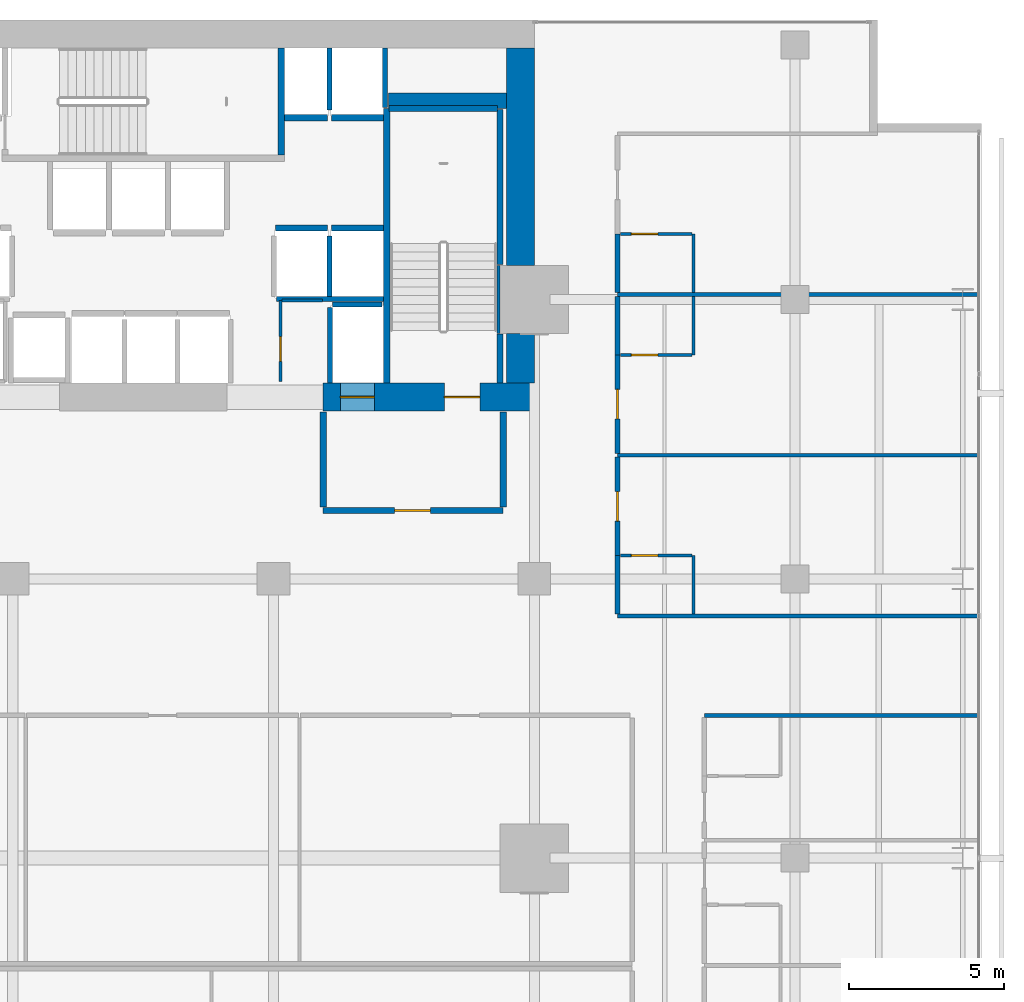
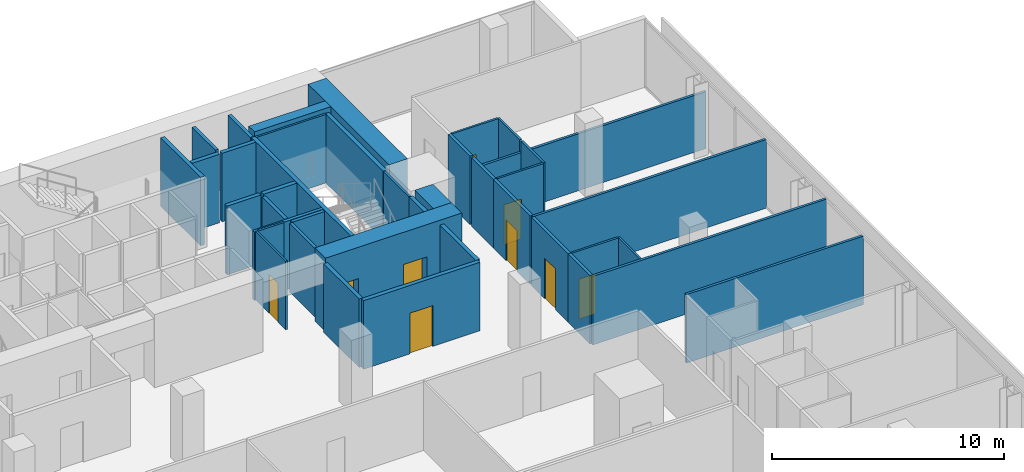
# One storey, part 37 of 40: 40 walls, 9 doors, 9 openings.
"""IFC4 building model written with IfcOpenShell, lengths in metres."""

from ifc_helpers import new_model, si_unit, direction, frame, frame_2d, origin, place, context, subcontext, project, spatial, rectangle, extrude, material, layer, layer_set, type_object, element, fill, save


model = new_model("IFC4")

# Units and contexts
model_context = context("Model", 3, precision=1e-05, world=origin(), true_north=direction((0.0, 1.0)))
body_context = subcontext(model_context, "Body", "Model", "MODEL_VIEW")
ifc_project = project(units=[si_unit("LENGTHUNIT", "METRE"), si_unit("AREAUNIT", "SQUARE_METRE"), si_unit("VOLUMEUNIT", "CUBIC_METRE"), si_unit("PLANEANGLEUNIT", "RADIAN"), si_unit("MASSUNIT", "GRAM", prefix="KILO")], contexts=[model_context])

# Site, building, storey
site_placement = place(None, origin())
site = spatial("IfcSite", under=ifc_project, at=site_placement, CompositionType="ELEMENT")
building_placement = place(site_placement, origin())
building = spatial("IfcBuilding", under=site, at=building_placement, Name="Maruvema Waterfront Hotel and Observation Tower", CompositionType="ELEMENT")
storey_placement = place(building_placement, frame((0.0, 0.0, 80.85009765625)))
storey = spatial("IfcBuildingStorey", under=building, at=storey_placement, Name="L19", CompositionType="ELEMENT", Elevation=80.85009765625)

# Wall
ifc_material_1 = material(Name="Twin-stud acoustic gypsum drywall", Category="gypsum")
ifc_layer_1 = layer(ifc_material_1, 0.14990234375, Name="Acoustic Corridor and Suite Demising Wall 150 mm")
ifc_layer_set_1 = layer_set([ifc_layer_1], Name="Twin-stud acoustic gypsum drywall")
wall_type_1 = type_object("IfcWallType", Name="Acoustic Corridor and Suite Demising Wall 150 mm", PredefinedType="PARTITIONING", material=ifc_layer_set_1)
wall_1_placement = place(storey_placement, frame((53.080078125, 34.860107421875, 0.0), z_axis=(0.0, 0.0, 1.0), x_axis=(0.0, 1.0, 0.0)))
element("IfcWall", 1, at=wall_1_placement, inside=storey, type_object=wall_type_1, Name="L19 Bath L19-NE1 Wall 116", PredefinedType="PARTITIONING", context=body_context, shape_type="SweptSolid", body=[
    extrude(rectangle(XDim=1.889892578125, YDim=0.14990234375, at=frame_2d((0.94482421875, 0.0))), origin(), (0.0, 0.0, 1.0), 3.60986328125),
])

# Wall, opening, door
wall_2_placement = place(storey_placement, frame((53.080078125, 36.75, 0.0), z_axis=(0.0, 0.0, 1.0), x_axis=(0.0, 1.0, 0.0)))
wall_2 = element("IfcWall", 2, at=wall_2_placement, inside=storey, type_object=wall_type_1, Name="L19 Room L19-NE1 Corridor Wall 117", PredefinedType="PARTITIONING", context=body_context, shape_type="SweptSolid", body=[
    extrude(rectangle(XDim=3.169189453125, YDim=0.14990234375, at=frame_2d((1.58447265625, 0.0))), origin(), (0.0, 0.0, 1.0), 3.60986328125),
])
opening_1_placement = place(wall_2_placement, frame((1.109619140625, 0.0, 0.0)))
opening_1 = element("IfcOpeningElement", 3, at=opening_1_placement, cuts=wall_2, Name="Opening DR-095", PredefinedType="OPENING", context=body_context, shape_type="SweptSolid", body=[
    extrude(rectangle(XDim=0.949951171875, YDim=2.14990234375, at=frame_2d((0.47509765625, 1.074951171875))), frame((0.0, 0.0849609375, 0.0), z_axis=(0.0, -1.0, 0.0), x_axis=(1.0, 0.0, 0.0)), (0.0, 0.0, 1.0), 0.169921875),
])
ifc_material_2 = material(Name="Acoustic solid-core hardwood timber leaf", Category="wood")
door_type_1 = type_object("IfcDoorType", Name="Guestroom Entrance Fire Door 950x2150 mm", OperationType="NOTDEFINED", PredefinedType="DOOR", material=ifc_material_2)
door_1_placement = place(opening_1_placement, frame((0.949951171875, 0.0, 0.0), z_axis=(0.0, 0.0, 1.0), x_axis=(-1.0, 0.0, 0.0)))
door_1 = element("IfcDoor", 4, at=door_1_placement, inside=storey, type_object=door_type_1, Name="L19 Room L19-NE1 Entrance Door", OperationType="SINGLE_SWING_LEFT", OverallHeight=2.14990234375, OverallWidth=0.949951171875, PredefinedType="DOOR", context=body_context, shape_type="SweptSolid", body=[
    extrude(rectangle(XDim=0.949951171875, YDim=2.14990234375, at=frame_2d((0.47509765625, 1.074951171875))), frame((0.0, 0.02490234375, 0.0), z_axis=(0.0, -1.0, 0.0), x_axis=(1.0, 0.0, 0.0)), (0.0, 0.0, 1.0), 0.050048828125),
])
fill(opening_1, door_1)

wall_3_placement = place(storey_placement, frame((53.080078125, 40.039306640625, 0.0), z_axis=(0.0, 0.0, 1.0), x_axis=(0.0, 1.0, 0.0)))
wall_3 = element("IfcWall", 5, at=wall_3_placement, inside=storey, type_object=wall_type_1, Name="L19 Room L19-NE2 Corridor Wall 126", PredefinedType="PARTITIONING", context=body_context, shape_type="SweptSolid", body=[
    extrude(rectangle(XDim=3.1689453125, YDim=0.14990234375, at=frame_2d((1.58447265625, 0.0))), origin(), (0.0, 0.0, 1.0), 3.60986328125),
])
opening_2_placement = place(wall_3_placement, frame((1.109619140625, 0.0, 0.0)))
opening_2 = element("IfcOpeningElement", 6, at=opening_2_placement, cuts=wall_3, Name="Opening DR-095", PredefinedType="OPENING", context=body_context, shape_type="SweptSolid", body=[
    extrude(rectangle(XDim=0.949951171875, YDim=2.14990234375, at=frame_2d((0.47509765625, 1.074951171875))), frame((0.0, 0.0849609375, 0.0), z_axis=(0.0, -1.0, 0.0), x_axis=(1.0, 0.0, 0.0)), (0.0, 0.0, 1.0), 0.169921875),
])
door_2_placement = place(opening_2_placement, frame((0.949951171875, 0.0, 0.0), z_axis=(0.0, 0.0, 1.0), x_axis=(-1.0, 0.0, 0.0)))
door_2 = element("IfcDoor", 7, at=door_2_placement, inside=storey, type_object=door_type_1, Name="L19 Room L19-NE2 Entrance Door", OperationType="SINGLE_SWING_LEFT", OverallHeight=2.14990234375, OverallWidth=0.949951171875, PredefinedType="DOOR", context=body_context, shape_type="SweptSolid", body=[
    extrude(rectangle(XDim=0.949951171875, YDim=2.14990234375, at=frame_2d((0.47509765625, 1.074951171875))), frame((0.0, 0.02490234375, 0.0), z_axis=(0.0, -1.0, 0.0), x_axis=(1.0, 0.0, 0.0)), (0.0, 0.0, 1.0), 0.050048828125),
])
fill(opening_2, door_2)

# Walls
for number, where, z_axis, x_axis, name in (
    (8, (53.080078125, 43.208251953125, 0.0), (0.0, 0.0, 1.0), (0.0, 1.0, 0.0), "L19 Bath L19-NE2 Wall 127"),
    (9, (53.080078125, 45.21826171875, 0.0), (0.0, 0.0, 1.0), (0.0, 1.0, 0.0), "L19 Bath L19-NE3 Wall 136"),
):
    element("IfcWall", number, at=place(storey_placement, frame(where, z_axis=z_axis, x_axis=x_axis)), inside=storey, type_object=wall_type_1, Name=name, PredefinedType="PARTITIONING", context=body_context, shape_type="SweptSolid", body=[
        extrude(rectangle(XDim=1.89013671875, YDim=0.14990234375, at=frame_2d((0.945068359375, 0.0))), origin(), (0.0, 0.0, 1.0), 3.60986328125),
    ])
ifc_material_3 = material(Name="Precast concrete C45/55", Category="concrete")
ifc_layer_2 = layer(ifc_material_3, 0.199951171875, Name="Core Shaft and Stairwell Enclosure Wall 200 mm")
ifc_layer_set_2 = layer_set([ifc_layer_2], Name="Precast concrete C45/55")
wall_type_2 = type_object("IfcWallType", Name="Core Shaft and Stairwell Enclosure Wall 200 mm", PredefinedType="SOLIDWALL", material=ifc_layer_set_2)
wall_4_placement = place(storey_placement, frame((42.25, 49.64990234375, 0.0), z_axis=(0.0, 0.0, 1.0), x_axis=(0.0, 1.0, 0.0)))
element("IfcWall", 10, at=wall_4_placement, inside=storey, type_object=wall_type_2, Name="L19 Stairwell ST-02 Shaft Wall", PredefinedType="SOLIDWALL", context=body_context, shape_type="SweptSolid", body=[
    extrude(rectangle(XDim=3.4501953125, YDim=0.199951171875, at=frame_2d((1.72509765625, 0.0))), origin(), (0.0, 0.0, 1.0), 3.60986328125),
])
wall_5_placement = place(storey_placement, frame((45.64990234375, 42.300048828125, 0.0), z_axis=(0.0, 0.0, 1.0), x_axis=(0.0, 1.0, 0.0)))
element("IfcWall", 11, at=wall_5_placement, inside=storey, type_object=wall_type_2, Name="L19 Stairwell ST-03 West Shaft Wall", PredefinedType="SOLIDWALL", context=body_context, shape_type="SweptSolid", body=[
    extrude(rectangle(XDim=8.849853515625, YDim=0.199951171875, at=frame_2d((4.4248046875, 0.0))), origin(), (0.0, 0.0, 1.0), 3.60986328125),
])
wall_6_placement = place(storey_placement, frame((49.300048828125, 42.300048828125, 0.0), z_axis=(0.0, 0.0, 1.0), x_axis=(0.0, 1.0, 0.0)))
element("IfcWall", 12, at=wall_6_placement, inside=storey, type_object=wall_type_2, Name="L19 Stairwell ST-03 Shaft Lining Wall", PredefinedType="SOLIDWALL", context=body_context, shape_type="SweptSolid", body=[
    extrude(rectangle(XDim=1.579833984375, YDim=0.199951171875, at=frame_2d((0.7900390625, 0.0))), origin(), (0.0, 0.0, 1.0), 3.60986328125),
])
wall_7_placement = place(storey_placement, frame((49.300048828125, 46.1201171875, 0.0), z_axis=(0.0, 0.0, 1.0), x_axis=(0.0, 1.0, 0.0)))
element("IfcWall", 13, at=wall_7_placement, inside=storey, type_object=wall_type_2, Name="L19 Stairwell ST-03 Shaft Lining Wall", PredefinedType="SOLIDWALL", context=body_context, shape_type="SweptSolid", body=[
    extrude(rectangle(XDim=5.0, YDim=0.199951171875, at=frame_2d((2.5, 0.0))), origin(), (0.0, 0.0, 1.0), 3.60986328125),
])
wall_8_placement = place(storey_placement, frame((45.719970703125, 51.14990234375, 0.0), z_axis=(0.0, 0.0, 1.0), x_axis=(1.0, 0.0, 0.0)))
element("IfcWall", 14, at=wall_8_placement, inside=storey, type_object=wall_type_2, Name="L19 Stairwell ST-03 Shaft Lining Wall", PredefinedType="SOLIDWALL", context=body_context, shape_type="SweptSolid", body=[
    extrude(rectangle(XDim=3.5, YDim=0.199951171875, at=frame_2d((1.75, 0.0))), origin(), (0.0, 0.0, 1.0), 3.60986328125),
])
for number, where, z_axis, x_axis, name in (
    (15, (42.06005859375, 47.300048828125, 0.0), (0.0, 0.0, 1.0), (1.0, 0.0, 0.0), "L19 Lift LF-05 Hoistway Front Wall"),
    (16, (43.860107421875, 47.300048828125, 0.0), (0.0, 0.0, 1.0), (1.0, 0.0, 0.0), "L19 Lift LF-06 Hoistway Front Wall"),
):
    element("IfcWall", number, at=place(storey_placement, frame(where, z_axis=z_axis, x_axis=x_axis)), inside=storey, type_object=wall_type_2, Name=name, PredefinedType="SOLIDWALL", context=body_context, shape_type="SweptSolid", body=[
        extrude(rectangle(XDim=1.679931640625, YDim=0.199951171875, at=frame_2d((0.83984375, 0.0))), origin(), (0.0, 0.0, 1.0), 3.60986328125),
    ])
wall_9_placement = place(storey_placement, frame((42.360107421875, 50.85009765625, 0.0), z_axis=(0.0, 0.0, 1.0), x_axis=(1.0, 0.0, 0.0)))
element("IfcWall", 17, at=wall_9_placement, inside=storey, type_object=wall_type_2, Name="L19 Lift LF-07 Hoistway Front Wall", PredefinedType="SOLIDWALL", context=body_context, shape_type="SweptSolid", body=[
    extrude(rectangle(XDim=1.3798828125, YDim=0.199951171875, at=frame_2d((0.68994140625, 0.0))), origin(), (0.0, 0.0, 1.0), 3.60986328125),
])
wall_10_placement = place(storey_placement, frame((43.860107421875, 50.85009765625, 0.0), z_axis=(0.0, 0.0, 1.0), x_axis=(1.0, 0.0, 0.0)))
element("IfcWall", 18, at=wall_10_placement, inside=storey, type_object=wall_type_2, Name="L19 Lift LF-08 Hoistway Front Wall", PredefinedType="SOLIDWALL", context=body_context, shape_type="SweptSolid", body=[
    extrude(rectangle(XDim=1.679931640625, YDim=0.199951171875, at=frame_2d((0.83984375, 0.0))), origin(), (0.0, 0.0, 1.0), 3.60986328125),
])
ifc_material_4 = material(Name="Concrete C70/85", Category="concrete")
ifc_layer_3 = layer(ifc_material_4, 0.5, Name="Core Shear Wall 500 mm")
ifc_layer_set_3 = layer_set([ifc_layer_3], Name="Concrete C70/85")
wall_type_3 = type_object("IfcWallType", Name="Core Shear Wall 500 mm", PredefinedType="SHEAR", material=ifc_layer_set_3)
wall_11_placement = place(storey_placement, frame((45.699951171875, 51.39990234375, 0.0), z_axis=(0.0, 0.0, 1.0), x_axis=(1.0, 0.0, 0.0)))
element("IfcWall", 19, at=wall_11_placement, inside=storey, type_object=wall_type_3, Name="L19 Internal Core Shear Wall NE 500 mm", PredefinedType="SHEAR", context=body_context, shape_type="SweptSolid", body=[
    extrude(rectangle(XDim=3.800048828125, YDim=0.5, at=frame_2d((1.89990234375, 0.0))), origin(), (0.0, 0.0, 1.0), 3.849853515625),
])

# Wall, openings, doors
ifc_material_5 = material(Name="Concrete C80/95", Category="concrete")
ifc_layer_4 = layer(ifc_material_5, 0.89990234375, Name="Core Shear Wall 900 mm")
ifc_layer_set_4 = layer_set([ifc_layer_4], Name="Concrete C80/95")
wall_type_4 = type_object("IfcWallType", Name="Core Shear Wall 900 mm", PredefinedType="SHEAR", material=ifc_layer_set_4)
wall_12_placement = place(storey_placement, frame((43.60009765625, 41.85009765625, 0.0), z_axis=(0.0, 0.0, 1.0), x_axis=(1.0, 0.0, 0.0)))
wall_12 = element("IfcWall", 20, at=wall_12_placement, inside=storey, type_object=wall_type_4, Name="L19 South-East Core Shear Wall", PredefinedType="SHEAR", context=body_context, shape_type="SweptSolid", body=[
    extrude(rectangle(XDim=6.7998046875, YDim=0.89990234375, at=frame_2d((3.39990234375, 0.0))), origin(), (0.0, 0.0, 1.0), 3.849853515625),
])
opening_3_placement = place(wall_12_placement, frame((3.89990234375, 0.0, 0.0)))
opening_3 = element("IfcOpeningElement", 21, at=opening_3_placement, cuts=wall_12, Name="Opening SD-01", PredefinedType="OPENING", context=body_context, shape_type="SweptSolid", body=[
    extrude(rectangle(XDim=1.14990234375, YDim=2.14990234375, at=frame_2d((0.574951171875, 1.074951171875))), frame((0.0, 0.4599609375, 0.0), z_axis=(0.0, -1.0, 0.0), x_axis=(1.0, 0.0, 0.0)), (0.0, 0.0, 1.0), 0.919921875),
])
opening_4_placement = place(wall_12_placement, frame((0.550048828125, 0.0, 0.0)))
opening_4 = element("IfcOpeningElement", 22, at=opening_4_placement, cuts=wall_12, Name="Opening LD-03", PredefinedType="OPENING", context=body_context, shape_type="SweptSolid", body=[
    extrude(rectangle(XDim=1.10009765625, YDim=2.199951171875, at=frame_2d((0.550048828125, 1.10009765625))), frame((0.0, 0.4599609375, 0.0), z_axis=(0.0, -1.0, 0.0), x_axis=(1.0, 0.0, 0.0)), (0.0, 0.0, 1.0), 0.919921875),
])
ifc_material_6 = material(Name="Fire-rated galvanised steel leaf", Category="steel")
door_type_2 = type_object("IfcDoorType", Name="Exit Stair Fire Door 1150x2150 mm", OperationType="NOTDEFINED", PredefinedType="DOOR", material=ifc_material_6)
door_3_placement = place(opening_3_placement, origin())
door_3 = element("IfcDoor", 23, at=door_3_placement, inside=storey, type_object=door_type_2, Name="L19 Exit Stair ST-03 Fire Door", OperationType="SINGLE_SWING_RIGHT", OverallHeight=2.14990234375, OverallWidth=1.14990234375, PredefinedType="DOOR", context=body_context, shape_type="SweptSolid", body=[
    extrude(rectangle(XDim=1.14990234375, YDim=2.14990234375, at=frame_2d((0.574951171875, 1.074951171875))), frame((0.0, 0.02490234375, 0.0), z_axis=(0.0, -1.0, 0.0), x_axis=(1.0, 0.0, 0.0)), (0.0, 0.0, 1.0), 0.050048828125),
])
fill(opening_3, door_3)
ifc_material_7 = material(Name="Brushed stainless steel Grade 316", Category="steel")
door_type_3 = type_object("IfcDoorType", Name="Firefighting Lift Sliding Landing Door 1100x2200 mm", OperationType="SLIDING_TO_LEFT", PredefinedType="DOOR", material=ifc_material_7)
door_4_placement = place(opening_4_placement, frame((1.10009765625, 0.0, 0.0), z_axis=(0.0, 0.0, 1.0), x_axis=(-1.0, 0.0, 0.0)))
door_4 = element("IfcDoor", 24, at=door_4_placement, inside=storey, type_object=door_type_3, Name="L19 Firefighting Lift FL-02 Landing Door", OperationType="SLIDING_TO_LEFT", OverallHeight=2.199951171875, OverallWidth=1.10009765625, PredefinedType="DOOR", context=body_context, shape_type="SweptSolid", body=[
    extrude(rectangle(XDim=1.10009765625, YDim=2.199951171875, at=frame_2d((0.550048828125, 1.10009765625))), frame((0.0, 0.02490234375, 0.0), z_axis=(0.0, -1.0, 0.0), x_axis=(1.0, 0.0, 0.0)), (0.0, 0.0, 1.0), 0.050048828125),
])
fill(opening_4, door_4)

# Walls
wall_13_placement = place(storey_placement, frame((49.949951171875, 42.300048828125, 0.0), z_axis=(0.0, 0.0, 1.0), x_axis=(0.0, 1.0, 0.0)))
element("IfcWall", 25, at=wall_13_placement, inside=storey, type_object=wall_type_4, Name="L19 East-South Core Shear Wall", PredefinedType="SHEAR", context=body_context, shape_type="SweptSolid", body=[
    extrude(rectangle(XDim=1.599853515625, YDim=0.89990234375, at=frame_2d((0.7998046875, 0.0))), origin(), (0.0, 0.0, 1.0), 3.849853515625),
])
wall_14_placement = place(storey_placement, frame((49.949951171875, 46.10009765625, 0.0), z_axis=(0.0, 0.0, 1.0), x_axis=(0.0, 1.0, 0.0)))
element("IfcWall", 26, at=wall_14_placement, inside=storey, type_object=wall_type_4, Name="L19 East-North Core Shear Wall", PredefinedType="SHEAR", context=body_context, shape_type="SweptSolid", body=[
    extrude(rectangle(XDim=7.0, YDim=0.89990234375, at=frame_2d((3.5, 0.0))), origin(), (0.0, 0.0, 1.0), 3.849853515625),
])

# Wall, opening, door
ifc_material_8 = material(Name="Moisture-resistant cement-board drywall", Category="gypsum")
ifc_layer_5 = layer(ifc_material_8, 0.10009765625, Name="En-Suite Moisture-Resistant Partition 100 mm")
ifc_layer_set_5 = layer_set([ifc_layer_5], Name="Moisture-resistant cement-board drywall")
wall_type_5 = type_object("IfcWallType", Name="En-Suite Moisture-Resistant Partition 100 mm", PredefinedType="PARTITIONING", material=ifc_layer_set_5)
wall_15_placement = place(storey_placement, frame((42.219970703125, 42.35009765625, 0.0), z_axis=(0.0, 0.0, 1.0), x_axis=(0.0, 1.0, 0.0)))
wall_15 = element("IfcWall", 27, at=wall_15_placement, inside=storey, type_object=wall_type_5, Name="L19 Core Closet K1 West 010", PredefinedType="PARTITIONING", context=body_context, shape_type="SweptSolid", body=[
    extrude(rectangle(XDim=2.60986328125, YDim=0.10009765625, at=frame_2d((1.304931640625, 0.0))), origin(), (0.0, 0.0, 1.0), 3.60986328125),
])
opening_5_placement = place(wall_15_placement, frame((0.64990234375, 0.0, 0.0)))
opening_5 = element("IfcOpeningElement", 28, at=opening_5_placement, cuts=wall_15, Name="Opening DR-080", PredefinedType="OPENING", context=body_context, shape_type="SweptSolid", body=[
    extrude(rectangle(XDim=0.800048828125, YDim=2.050048828125, at=frame_2d((0.39990234375, 1.02490234375))), frame((0.0, 0.06005859375, 0.0), z_axis=(0.0, -1.0, 0.0), x_axis=(1.0, 0.0, 0.0)), (0.0, 0.0, 1.0), 0.1201171875),
])
ifc_material_9 = material(Name="Powder-coated steel access leaf", Category="steel")
door_type_4 = type_object("IfcDoorType", Name="Riser and Service Cupboard Door 800x2050 mm", OperationType="NOTDEFINED", PredefinedType="DOOR", material=ifc_material_9)
door_5_placement = place(opening_5_placement, frame((0.800048828125, 0.0, 0.0), z_axis=(0.0, 0.0, 1.0), x_axis=(-1.0, 0.0, 0.0)))
door_5 = element("IfcDoor", 29, at=door_5_placement, inside=storey, type_object=door_type_4, Name="L19 Core Cleaning Store Door", OperationType="SINGLE_SWING_LEFT", OverallHeight=2.050048828125, OverallWidth=0.800048828125, PredefinedType="DOOR", context=body_context, shape_type="SweptSolid", body=[
    extrude(rectangle(XDim=0.800048828125, YDim=2.050048828125, at=frame_2d((0.39990234375, 1.02490234375))), frame((0.0, 0.02490234375, 0.0), z_axis=(0.0, -1.0, 0.0), x_axis=(1.0, 0.0, 0.0)), (0.0, 0.0, 1.0), 0.050048828125),
])
fill(opening_5, door_5)

# Walls
wall_16_placement = place(storey_placement, frame((42.280029296875, 44.9599609375, 0.0), z_axis=(0.0, 0.0, 1.0), x_axis=(1.0, 0.0, 0.0)))
element("IfcWall", 30, at=wall_16_placement, inside=storey, type_object=wall_type_5, Name="L19 Core Closet K1 North 011", PredefinedType="PARTITIONING", context=body_context, shape_type="SweptSolid", body=[
    extrude(rectangle(XDim=1.300048828125, YDim=0.10009765625, at=frame_2d((0.64990234375, 0.0))), origin(), (0.0, 0.0, 1.0), 3.60986328125),
])
wall_17_placement = place(storey_placement, frame((55.530029296875, 34.860107421875, 0.0), z_axis=(0.0, 0.0, 1.0), x_axis=(0.0, 1.0, 0.0)))
element("IfcWall", 31, at=wall_17_placement, inside=storey, type_object=wall_type_5, Name="L19 En-Suite L19-NE1 E 118", PredefinedType="PARTITIONING", context=body_context, shape_type="SweptSolid", body=[
    extrude(rectangle(XDim=1.889892578125, YDim=0.10009765625, at=frame_2d((0.94482421875, 0.0))), origin(), (0.0, 0.0, 1.0), 3.60986328125),
])

# Wall, opening, door
wall_18_placement = place(storey_placement, frame((53.179931640625, 36.75, 0.0), z_axis=(0.0, 0.0, 1.0), x_axis=(1.0, 0.0, 0.0)))
wall_18 = element("IfcWall", 32, at=wall_18_placement, inside=storey, type_object=wall_type_5, Name="L19 En-Suite L19-NE1 N 119", PredefinedType="PARTITIONING", context=body_context, shape_type="SweptSolid", body=[
    extrude(rectangle(XDim=2.300048828125, YDim=0.10009765625, at=frame_2d((1.14990234375, 0.0))), origin(), (0.0, 0.0, 1.0), 3.60986328125),
])
opening_6_placement = place(wall_18_placement, frame((0.35009765625, 0.0, 0.0)))
opening_6 = element("IfcOpeningElement", 33, at=opening_6_placement, cuts=wall_18, Name="Opening DR-085", PredefinedType="OPENING", context=body_context, shape_type="SweptSolid", body=[
    extrude(rectangle(XDim=0.85009765625, YDim=2.10009765625, at=frame_2d((0.425048828125, 1.050048828125))), frame((0.0, 0.06005859375, 0.0), z_axis=(0.0, -1.0, 0.0), x_axis=(1.0, 0.0, 0.0)), (0.0, 0.0, 1.0), 0.1201171875),
])
ifc_material_10 = material(Name="Moisture-resistant solid timber leaf", Category="wood")
door_type_5 = type_object("IfcDoorType", Name="En-Suite Bathroom Door 850x2100 mm", OperationType="NOTDEFINED", PredefinedType="DOOR", material=ifc_material_10)
door_6_placement = place(opening_6_placement, origin())
door_6 = element("IfcDoor", 34, at=door_6_placement, inside=storey, type_object=door_type_5, Name="L19 En-Suite L19-NE1 Door", OperationType="SINGLE_SWING_RIGHT", OverallHeight=2.10009765625, OverallWidth=0.85009765625, PredefinedType="DOOR", context=body_context, shape_type="SweptSolid", body=[
    extrude(rectangle(XDim=0.85009765625, YDim=2.10009765625, at=frame_2d((0.425048828125, 1.050048828125))), frame((0.0, 0.02490234375, 0.0), z_axis=(0.0, -1.0, 0.0), x_axis=(1.0, 0.0, 0.0)), (0.0, 0.0, 1.0), 0.050048828125),
])
fill(opening_6, door_6)

# Wall
wall_19_placement = place(storey_placement, frame((55.530029296875, 43.208251953125, 0.0), z_axis=(0.0, 0.0, 1.0), x_axis=(0.0, 1.0, 0.0)))
element("IfcWall", 35, at=wall_19_placement, inside=storey, type_object=wall_type_5, Name="L19 En-Suite L19-NE2 E 128", PredefinedType="PARTITIONING", context=body_context, shape_type="SweptSolid", body=[
    extrude(rectangle(XDim=1.89013671875, YDim=0.10009765625, at=frame_2d((0.945068359375, 0.0))), origin(), (0.0, 0.0, 1.0), 3.60986328125),
])

# Wall, opening, door
wall_20_placement = place(storey_placement, frame((53.179931640625, 43.208251953125, 0.0), z_axis=(0.0, 0.0, 1.0), x_axis=(1.0, 0.0, 0.0)))
wall_20 = element("IfcWall", 36, at=wall_20_placement, inside=storey, type_object=wall_type_5, Name="L19 En-Suite L19-NE2 S 129", PredefinedType="PARTITIONING", context=body_context, shape_type="SweptSolid", body=[
    extrude(rectangle(XDim=2.300048828125, YDim=0.10009765625, at=frame_2d((1.14990234375, 0.0))), origin(), (0.0, 0.0, 1.0), 3.60986328125),
])
opening_7_placement = place(wall_20_placement, frame((0.35009765625, 0.0, 0.0)))
opening_7 = element("IfcOpeningElement", 37, at=opening_7_placement, cuts=wall_20, Name="Opening DR-085", PredefinedType="OPENING", context=body_context, shape_type="SweptSolid", body=[
    extrude(rectangle(XDim=0.85009765625, YDim=2.10009765625, at=frame_2d((0.425048828125, 1.050048828125))), frame((0.0, 0.06005859375, 0.0), z_axis=(0.0, -1.0, 0.0), x_axis=(1.0, 0.0, 0.0)), (0.0, 0.0, 1.0), 0.1201171875),
])
door_7_placement = place(opening_7_placement, frame((0.85009765625, 0.0, 0.0), z_axis=(0.0, 0.0, 1.0), x_axis=(-1.0, 0.0, 0.0)))
door_7 = element("IfcDoor", 38, at=door_7_placement, inside=storey, type_object=door_type_5, Name="L19 En-Suite L19-NE2 Door", OperationType="SINGLE_SWING_RIGHT", OverallHeight=2.10009765625, OverallWidth=0.85009765625, PredefinedType="DOOR", context=body_context, shape_type="SweptSolid", body=[
    extrude(rectangle(XDim=0.85009765625, YDim=2.10009765625, at=frame_2d((0.425048828125, 1.050048828125))), frame((0.0, 0.02490234375, 0.0), z_axis=(0.0, -1.0, 0.0), x_axis=(1.0, 0.0, 0.0)), (0.0, 0.0, 1.0), 0.050048828125),
])
fill(opening_7, door_7)

# Wall
wall_21_placement = place(storey_placement, frame((55.530029296875, 45.21826171875, 0.0), z_axis=(0.0, 0.0, 1.0), x_axis=(0.0, 1.0, 0.0)))
element("IfcWall", 39, at=wall_21_placement, inside=storey, type_object=wall_type_5, Name="L19 En-Suite L19-NE3 E 138", PredefinedType="PARTITIONING", context=body_context, shape_type="SweptSolid", body=[
    extrude(rectangle(XDim=1.89013671875, YDim=0.10009765625, at=frame_2d((0.945068359375, 0.0))), origin(), (0.0, 0.0, 1.0), 3.60986328125),
])

# Wall, opening, door
wall_22_placement = place(storey_placement, frame((53.179931640625, 47.1083984375, 0.0), z_axis=(0.0, 0.0, 1.0), x_axis=(1.0, 0.0, 0.0)))
wall_22 = element("IfcWall", 40, at=wall_22_placement, inside=storey, type_object=wall_type_5, Name="L19 En-Suite L19-NE3 N 139", PredefinedType="PARTITIONING", context=body_context, shape_type="SweptSolid", body=[
    extrude(rectangle(XDim=2.300048828125, YDim=0.10009765625, at=frame_2d((1.14990234375, 0.0))), origin(), (0.0, 0.0, 1.0), 3.60986328125),
])
opening_8_placement = place(wall_22_placement, frame((0.35009765625, 0.0, 0.0)))
opening_8 = element("IfcOpeningElement", 41, at=opening_8_placement, cuts=wall_22, Name="Opening DR-085", PredefinedType="OPENING", context=body_context, shape_type="SweptSolid", body=[
    extrude(rectangle(XDim=0.85009765625, YDim=2.10009765625, at=frame_2d((0.425048828125, 1.050048828125))), frame((0.0, 0.06005859375, 0.0), z_axis=(0.0, -1.0, 0.0), x_axis=(1.0, 0.0, 0.0)), (0.0, 0.0, 1.0), 0.1201171875),
])
door_8_placement = place(opening_8_placement, origin())
door_8 = element("IfcDoor", 42, at=door_8_placement, inside=storey, type_object=door_type_5, Name="L19 En-Suite L19-NE3 Door", OperationType="SINGLE_SWING_RIGHT", OverallHeight=2.10009765625, OverallWidth=0.85009765625, PredefinedType="DOOR", context=body_context, shape_type="SweptSolid", body=[
    extrude(rectangle(XDim=0.85009765625, YDim=2.10009765625, at=frame_2d((0.425048828125, 1.050048828125))), frame((0.0, 0.02490234375, 0.0), z_axis=(0.0, -1.0, 0.0), x_axis=(1.0, 0.0, 0.0)), (0.0, 0.0, 1.0), 0.050048828125),
])
fill(opening_8, door_8)

ifc_material_11 = material(Name="Autoclaved cellular concrete blockwork", Category="masonry")
ifc_layer_6 = layer(ifc_material_11, 0.199951171875, Name="Fire Compartment Masonry Wall 200 mm")
ifc_layer_set_6 = layer_set([ifc_layer_6], Name="Autoclaved cellular concrete blockwork")
wall_type_6 = type_object("IfcWallType", Name="Fire Compartment Masonry Wall 200 mm", PredefinedType="PARTITIONING", material=ifc_layer_set_6)
wall_23_placement = place(storey_placement, frame((43.60009765625, 38.199951171875, 0.0), z_axis=(0.0, 0.0, 1.0), x_axis=(1.0, 0.0, 0.0)))
wall_23 = element("IfcWall", 43, at=wall_23_placement, inside=storey, type_object=wall_type_6, Name="L19 FFL East South Wall 004", PredefinedType="PARTITIONING", context=body_context, shape_type="SweptSolid", body=[
    extrude(rectangle(XDim=5.7998046875, YDim=0.199951171875, at=frame_2d((2.89990234375, 0.0))), origin(), (0.0, 0.0, 1.0), 3.60986328125),
])
opening_9_placement = place(wall_23_placement, frame((2.300048828125, 0.0, 0.0)))
opening_9 = element("IfcOpeningElement", 44, at=opening_9_placement, cuts=wall_23, Name="Opening FD-115", PredefinedType="OPENING", context=body_context, shape_type="SweptSolid", body=[
    extrude(rectangle(XDim=1.14990234375, YDim=2.14990234375, at=frame_2d((0.574951171875, 1.074951171875))), frame((0.0, 0.10986328125, 0.0), z_axis=(0.0, -1.0, 0.0), x_axis=(1.0, 0.0, 0.0)), (0.0, 0.0, 1.0), 0.219970703125),
])
ifc_material_12 = material(Name="Fire-rated galvanised steel and vision glass", Category="steel")
door_type_6 = type_object("IfcDoorType", Name="Firefighting Lobby Fire Door 1150x2150 mm", OperationType="NOTDEFINED", PredefinedType="DOOR", material=ifc_material_12)
door_9_placement = place(opening_9_placement, frame((1.14990234375, 0.0, 0.0), z_axis=(0.0, 0.0, 1.0), x_axis=(-1.0, 0.0, 0.0)))
door_9 = element("IfcDoor", 45, at=door_9_placement, inside=storey, type_object=door_type_6, Name="L19 Firefighting Lobby East Door", OperationType="SINGLE_SWING_LEFT", OverallHeight=2.14990234375, OverallWidth=1.14990234375, PredefinedType="DOOR", context=body_context, shape_type="SweptSolid", body=[
    extrude(rectangle(XDim=1.14990234375, YDim=2.14990234375, at=frame_2d((0.574951171875, 1.074951171875))), frame((0.0, 0.02490234375, 0.0), z_axis=(0.0, -1.0, 0.0), x_axis=(1.0, 0.0, 0.0)), (0.0, 0.0, 1.0), 0.050048828125),
])
fill(opening_9, door_9)

# Walls
for number, where, z_axis, x_axis, name in (
    (46, (43.60009765625, 38.31005859375, 0.0), (0.0, 0.0, 1.0), (0.0, 1.0, 0.0), "L19 FFL East West Wall 005"),
    (47, (49.39990234375, 38.31005859375, 0.0), (0.0, 0.0, 1.0), (0.0, 1.0, 0.0), "L19 FFL East East Wall 006"),
):
    element("IfcWall", number, at=place(storey_placement, frame(where, z_axis=z_axis, x_axis=x_axis)), inside=storey, type_object=wall_type_6, Name=name, PredefinedType="PARTITIONING", context=body_context, shape_type="SweptSolid", body=[
        extrude(rectangle(XDim=3.06982421875, YDim=0.199951171875, at=frame_2d((1.534912109375, 0.0))), origin(), (0.0, 0.0, 1.0), 3.60986328125),
    ])
ifc_material_13 = material(Name="Acoustic gypsum plasterboard drywall", Category="gypsum")
ifc_layer_7 = layer(ifc_material_13, 0.125, Name="Guestroom Acoustic Demising Wall 125 mm")
ifc_layer_set_7 = layer_set([ifc_layer_7], Name="Acoustic gypsum plasterboard drywall")
wall_type_7 = type_object("IfcWallType", Name="Guestroom Acoustic Demising Wall 125 mm", PredefinedType="PARTITIONING", material=ifc_layer_set_7)
wall_24_placement = place(storey_placement, frame((55.8798828125, 31.60009765625, 0.0), z_axis=(0.0, 0.0, 1.0), x_axis=(1.0, 0.0, 0.0)))
element("IfcWall", 48, at=wall_24_placement, inside=storey, type_object=wall_type_7, Name="L19 E Top End 069", PredefinedType="PARTITIONING", context=body_context, shape_type="SweptSolid", body=[
    extrude(rectangle(XDim=8.820068359375, YDim=0.125, at=frame_2d((4.41015625, 0.0))), origin(), (0.0, 0.0, 1.0), 3.60986328125),
])
for number, where, z_axis, x_axis, name in (
    (49, (53.080078125, 34.800048828125, 0.0), (0.0, 0.0, 1.0), (1.0, 0.0, 0.0), "L19 NE Bot End 109"),
    (50, (53.080078125, 39.979248046875, 0.0), (0.0, 0.0, 1.0), (1.0, 0.0, 0.0), "L19 NE Demising 2 121"),
):
    element("IfcWall", number, at=place(storey_placement, frame(where, z_axis=z_axis, x_axis=x_axis)), inside=storey, type_object=wall_type_7, Name=name, PredefinedType="PARTITIONING", context=body_context, shape_type="SweptSolid", body=[
        extrude(rectangle(XDim=11.619873046875, YDim=0.125, at=frame_2d((5.81005859375, 0.0))), origin(), (0.0, 0.0, 1.0), 3.60986328125),
    ])
wall_25_placement = place(storey_placement, frame((53.080078125, 45.158203125, 0.0), z_axis=(0.0, 0.0, 1.0), x_axis=(1.0, 0.0, 0.0)))
element("IfcWall", 51, at=wall_25_placement, inside=storey, type_object=wall_type_7, Name="L19 NE Demising 3 131", PredefinedType="PARTITIONING", context=body_context, shape_type="SweptSolid", body=[
    extrude(rectangle(XDim=11.619873046875, YDim=0.125, at=frame_2d((5.81005859375, 0.0))), origin(), (0.0, 0.0, 1.0), 2.9990234375),
])
ifc_material_14 = material(Name="Precast concrete C45/55", Category="concrete")
ifc_layer_8 = layer(ifc_material_14, 0.159912109375, Name="Lift Hoistway Divider Wall 160 mm")
ifc_layer_set_8 = layer_set([ifc_layer_8], Name="Precast concrete C45/55")
wall_type_8 = type_object("IfcWallType", Name="Lift Hoistway Divider Wall 160 mm", PredefinedType="SOLIDWALL", material=ifc_layer_set_8)
wall_26_placement = place(storey_placement, frame((43.89990234375, 44.830078125, 0.0), z_axis=(0.0, 0.0, 1.0), x_axis=(1.0, 0.0, 0.0)))
element("IfcWall", 52, at=wall_26_placement, inside=storey, type_object=wall_type_8, Name="L19 Lift FL-02 Rear Hoistway Wall", PredefinedType="SOLIDWALL", context=body_context, shape_type="SweptSolid", body=[
    extrude(rectangle(XDim=1.60009765625, YDim=0.159912109375, at=frame_2d((0.800048828125, 0.0))), origin(), (0.0, 0.0, 1.0), 3.60986328125),
])
wall_27_placement = place(storey_placement, frame((43.820068359375, 42.300048828125, 0.0), z_axis=(0.0, 0.0, 1.0), x_axis=(0.0, 1.0, 0.0)))
element("IfcWall", 53, at=wall_27_placement, inside=storey, type_object=wall_type_8, Name="L19 Lift FL-02 Inner Hoistway Wall", PredefinedType="SOLIDWALL", context=body_context, shape_type="SweptSolid", body=[
    extrude(rectangle(XDim=2.43994140625, YDim=0.159912109375, at=frame_2d((1.219970703125, 0.0))), origin(), (0.0, 0.0, 1.0), 3.60986328125),
])
wall_28_placement = place(storey_placement, frame((43.800048828125, 45.10009765625, 0.0), z_axis=(0.0, 0.0, 1.0), x_axis=(0.0, 1.0, 0.0)))
element("IfcWall", 54, at=wall_28_placement, inside=storey, type_object=wall_type_8, Name="L19 Hoistway Divider Wall", PredefinedType="SOLIDWALL", context=body_context, shape_type="SweptSolid", body=[
    extrude(rectangle(XDim=1.949951171875, YDim=0.159912109375, at=frame_2d((0.97509765625, 0.0))), origin(), (0.0, 0.0, 1.0), 3.60986328125),
])
wall_29_placement = place(storey_placement, frame((42.10009765625, 45.010009765625, 0.0), z_axis=(0.0, 0.0, 1.0), x_axis=(1.0, 0.0, 0.0)))
element("IfcWall", 55, at=wall_29_placement, inside=storey, type_object=wall_type_8, Name="L19 Hoistway Divider Wall", PredefinedType="SOLIDWALL", context=body_context, shape_type="SweptSolid", body=[
    extrude(rectangle(XDim=3.449951171875, YDim=0.159912109375, at=frame_2d((1.72509765625, 0.0))), origin(), (0.0, 0.0, 1.0), 3.60986328125),
])
wall_30_placement = place(storey_placement, frame((45.590087890625, 51.179931640625, 0.0), z_axis=(0.0, 0.0, 1.0), x_axis=(0.0, 1.0, 0.0)))
element("IfcWall", 56, at=wall_30_placement, inside=storey, type_object=wall_type_8, Name="L19 Hoistway Divider Wall", PredefinedType="SOLIDWALL", context=body_context, shape_type="SweptSolid", body=[
    extrude(rectangle(XDim=1.920166015625, YDim=0.159912109375, at=frame_2d((0.9599609375, 0.0))), origin(), (0.0, 0.0, 1.0), 3.60986328125),
])
wall_31_placement = place(storey_placement, frame((43.800048828125, 51.10009765625, 0.0), z_axis=(0.0, 0.0, 1.0), x_axis=(0.0, 1.0, 0.0)))
element("IfcWall", 57, at=wall_31_placement, inside=storey, type_object=wall_type_8, Name="L19 Hoistway Divider Wall", PredefinedType="SOLIDWALL", context=body_context, shape_type="SweptSolid", body=[
    extrude(rectangle(XDim=2.0, YDim=0.159912109375, at=frame_2d((1.0, 0.0))), origin(), (0.0, 0.0, 1.0), 3.60986328125),
])
ifc_material_15 = material(Name="Precast concrete C45/55", Category="concrete")
ifc_layer_9 = layer(ifc_material_15, 0.10009765625, Name="Stairwell Stringer Cheek Wall 100 mm")
ifc_layer_set_9 = layer_set([ifc_layer_9], Name="Precast concrete C45/55")
wall_type_9 = type_object("IfcWallType", Name="Stairwell Stringer Cheek Wall 100 mm", PredefinedType="SOLIDWALL", material=ifc_layer_set_9)
wall_32_placement = place(storey_placement, frame((49.248046875, 43.89990234375, 0.0), z_axis=(0.0, 0.0, 1.0), x_axis=(0.0, 1.0, 0.0)))
element("IfcWall", 58, at=wall_32_placement, inside=storey, type_object=wall_type_9, Name="L19 Stairwell ST-03 Mega-Column Cheek Wall", PredefinedType="SOLIDWALL", context=body_context, shape_type="SweptSolid", body=[
    extrude(rectangle(XDim=2.2001953125, YDim=0.10009765625, at=frame_2d((1.10009765625, 0.0))), origin(), (0.0, 0.0, 1.0), 3.60986328125),
])

save(model, "model.ifc")
